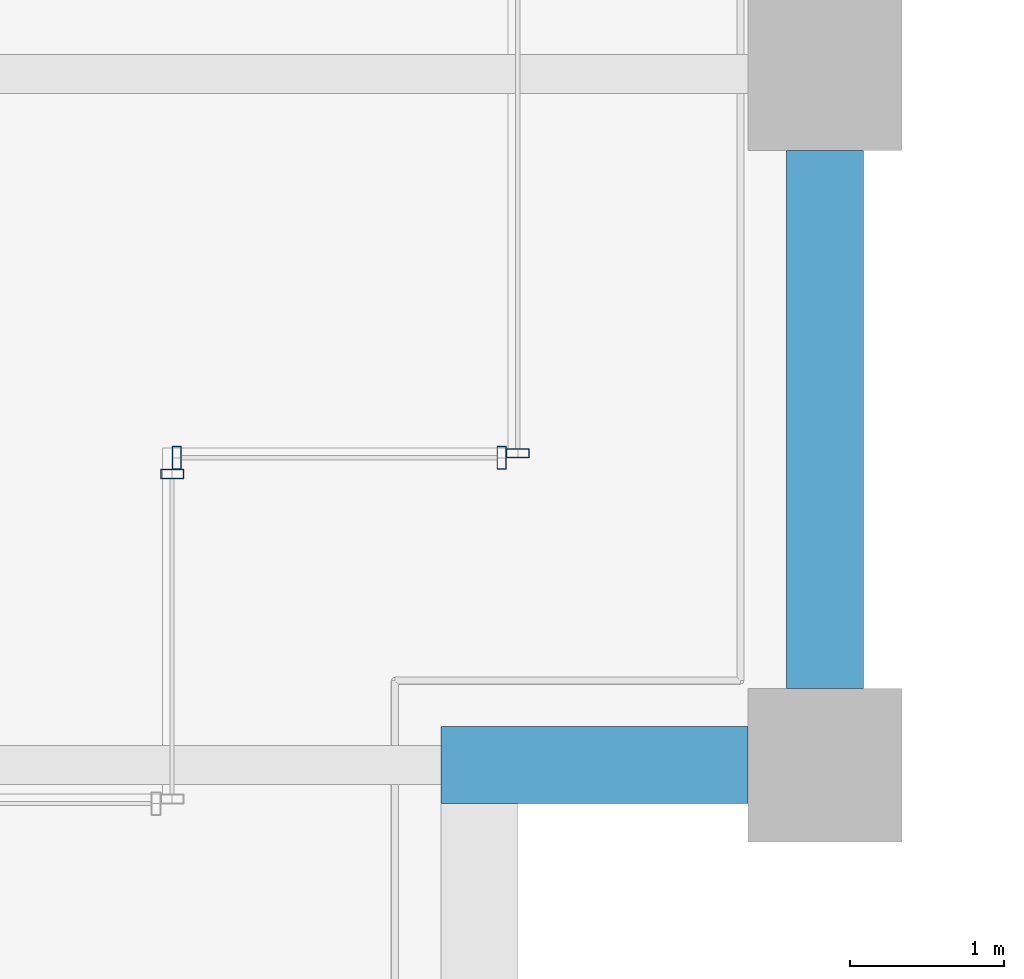
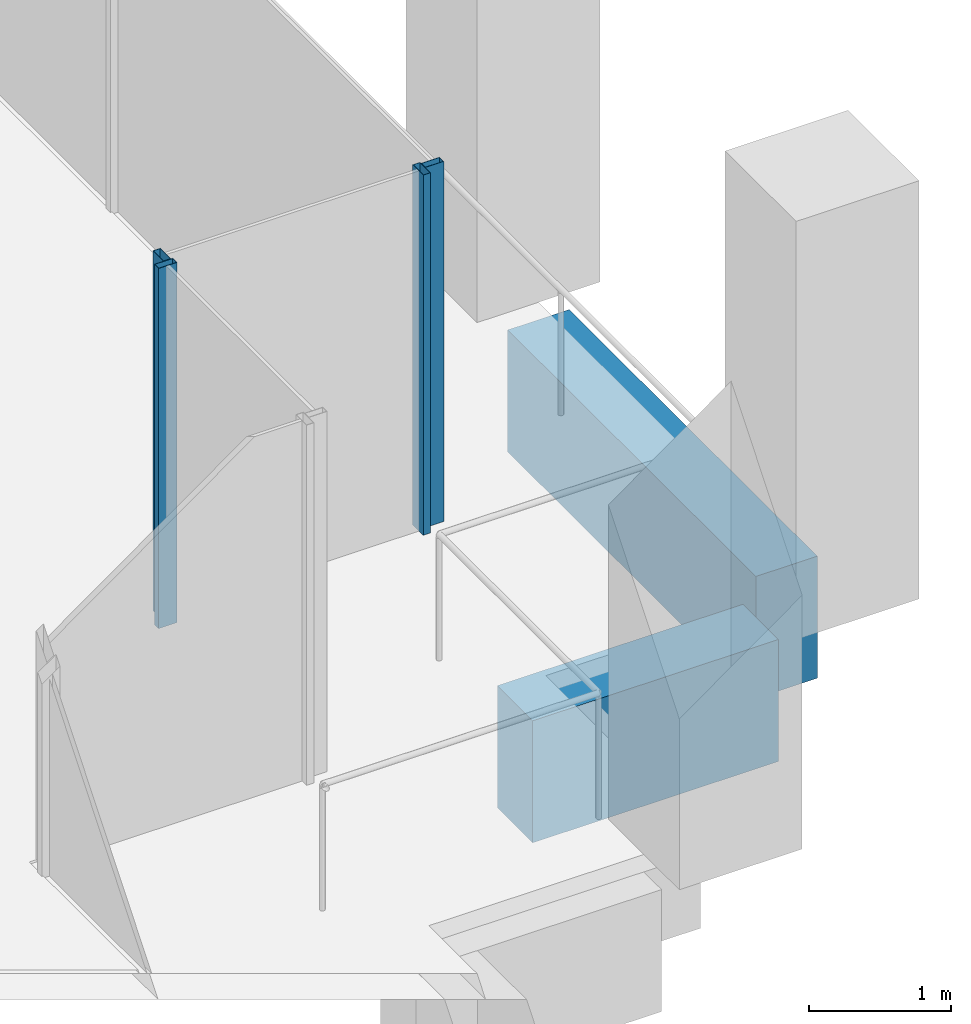
# One storey, part 13 of 46: 4 members, 2 beams, 3 elements without a shape of their own.
"""IFC4 building model written with IfcOpenShell, lengths in metres."""

from ifc_helpers import new_model, si_unit, direction, frame, origin, origin_2d, place, context, subcontext, project, spatial, rectangle, hollow_rectangle, extrude, material, material_profile, profile_set, type_object, element, aggregate, save


model = new_model("IFC4")

# Units and contexts
model_context = context("Model", 3, precision=1e-05, world=origin(), true_north=direction((0.0, 1.0)))
body_context = subcontext(model_context, "Body", "Model", "MODEL_VIEW")
ifc_project = project(units=[si_unit("LENGTHUNIT", "METRE"), si_unit("AREAUNIT", "SQUARE_METRE"), si_unit("VOLUMEUNIT", "CUBIC_METRE"), si_unit("PLANEANGLEUNIT", "RADIAN"), si_unit("MASSUNIT", "GRAM", prefix="KILO")], contexts=[model_context])

# Site, building, storey
site_placement = place(None, origin())
site = spatial("IfcSite", under=ifc_project, at=site_placement, CompositionType="ELEMENT")
building_placement = place(site_placement, origin())
building = spatial("IfcBuilding", under=site, at=building_placement, Name="Altepetl Exchange Towers", CompositionType="ELEMENT")
storey_placement = place(building_placement, frame((0.0, 0.0, 120.800048828125)))
storey = spatial("IfcBuildingStorey", under=building, at=storey_placement, Name="L29", CompositionType="ELEMENT", Elevation=120.800048828125)

# Curtain wall, member
ifc_material_1 = material(Name="Aluminium 6063-T6 glazing", Category="aluminium")
curtain_wall_type = type_object("IfcCurtainWallType", Name="Loggia glazing system", PredefinedType="NOTDEFINED", material=ifc_material_1)
curtain_wall_1_placement = place(storey_placement, origin())
curtain_wall_1 = element("IfcCurtainWall", 1, at=curtain_wall_1_placement, inside=storey, type_object=curtain_wall_type, Name="CW1 run", PredefinedType="NOTDEFINED")
ifc_material_2 = material(Name="Aluminium 6063-T6", Category="aluminium")
ifc_material_profile_1 = material_profile(ifc_material_2, hollow_rectangle(XDim=0.06005859375, YDim=0.14990234375, WallThickness=0.0029296875, at=origin_2d()), Name="Mullion 60x150 aluminium")
ifc_profile_set_1 = profile_set([ifc_material_profile_1], Name="Aluminium 6063-T6")
member_type = type_object("IfcMemberType", Name="Mullion 60x150 aluminium", PredefinedType="MULLION", material=ifc_profile_set_1)
member_1_placement = place(storey_placement, frame((67.75, 33.39501953125, 0.0), z_axis=(0.0, 0.0, 1.0), x_axis=(0.0, 1.0, 0.0)))
member_1 = element("IfcMember", 2, at=member_1_placement, type_object=member_type, Name="MU1 mullion", PredefinedType="MULLION", context=body_context, shape_type="SweptSolid", body=[
    extrude(hollow_rectangle(XDim=0.06005859375, YDim=0.14990234375, WallThickness=0.0029296875, at=origin_2d()), origin(), (0.0, 0.0, 1.0), 3.099853515625),
])
aggregate(curtain_wall_1, [member_1])

# Curtain wall, members
curtain_wall_2_placement = place(storey_placement, origin())
curtain_wall_2 = element("IfcCurtainWall", 3, at=curtain_wall_2_placement, inside=storey, type_object=curtain_wall_type, Name="CW1 run", PredefinedType="NOTDEFINED")
member_2_placement = place(storey_placement, frame((67.780029296875, 33.5, 0.0)))
member_2 = element("IfcMember", 4, at=member_2_placement, type_object=member_type, Name="MU1 mullion", PredefinedType="MULLION", context=body_context, shape_type="SweptSolid", body=[
    extrude(hollow_rectangle(XDim=0.06005859375, YDim=0.14990234375, WallThickness=0.0029296875, at=origin_2d()), origin(), (0.0, 0.0, 1.0), 3.099853515625),
])
member_3_placement = place(storey_placement, frame((69.89501953125, 33.5, 0.0)))
member_3 = element("IfcMember", 5, at=member_3_placement, type_object=member_type, Name="MU1 mullion", PredefinedType="MULLION", context=body_context, shape_type="SweptSolid", body=[
    extrude(hollow_rectangle(XDim=0.06005859375, YDim=0.14990234375, WallThickness=0.0029296875, at=origin_2d()), origin(), (0.0, 0.0, 1.0), 3.099853515625),
])
aggregate(curtain_wall_2, [member_2, member_3])

# Curtain wall, member
curtain_wall_3_placement = place(storey_placement, origin())
curtain_wall_3 = element("IfcCurtainWall", 6, at=curtain_wall_3_placement, inside=storey, type_object=curtain_wall_type, Name="CW1 run", PredefinedType="NOTDEFINED")
member_4_placement = place(storey_placement, frame((70.0, 33.530029296875, 0.0), z_axis=(0.0, 0.0, 1.0), x_axis=(0.0, 1.0, 0.0)))
member_4 = element("IfcMember", 7, at=member_4_placement, type_object=member_type, Name="MU1 mullion", PredefinedType="MULLION", context=body_context, shape_type="SweptSolid", body=[
    extrude(hollow_rectangle(XDim=0.06005859375, YDim=0.14990234375, WallThickness=0.0029296875, at=origin_2d()), origin(), (0.0, 0.0, 1.0), 3.099853515625),
])
aggregate(curtain_wall_3, [member_4])

# Beams
ifc_material_3 = material(Name="Concrete C50/60 precast with cantera amarilla facing", Category="concrete")
ifc_material_profile_2 = material_profile(ifc_material_3, rectangle(XDim=0.5, YDim=1.050048828125, at=origin_2d()), Name="500 x 1050")
ifc_profile_set_2 = profile_set([ifc_material_profile_2], Name="Concrete C50/60 precast with cantera amarilla facing")
beam_type = type_object("IfcBeamType", Name="Spandrel beam 500x1050 cantera amarilla", PredefinedType="SPANDREL", material=ifc_profile_set_2)
beam_1_placement = place(storey_placement, frame((69.5, 31.5, -0.675048828125), z_axis=(1.0, 0.0, 0.0), x_axis=(0.0, 1.0, 0.0)))
element("IfcBeam", 8, at=beam_1_placement, inside=storey, type_object=beam_type, Name="sp:A:L29:011", PredefinedType="SPANDREL", context=body_context, shape_type="SweptSolid", body=[
    extrude(rectangle(XDim=0.5, YDim=1.050048828125, at=origin_2d()), origin(), (0.0, 0.0, 1.0), 2.0),
])
beam_2_placement = place(storey_placement, frame((72.0, 32.0, -0.675048828125), z_axis=(0.0, 1.0, 0.0), x_axis=(-1.0, 0.0, 0.0)))
element("IfcBeam", 9, at=beam_2_placement, inside=storey, type_object=beam_type, Name="sp:A:L29:012", PredefinedType="SPANDREL", context=body_context, shape_type="SweptSolid", body=[
    extrude(rectangle(XDim=0.5, YDim=1.050048828125, at=origin_2d()), origin(), (0.0, 0.0, 1.0), 3.5),
])

save(model, "model.ifc")
